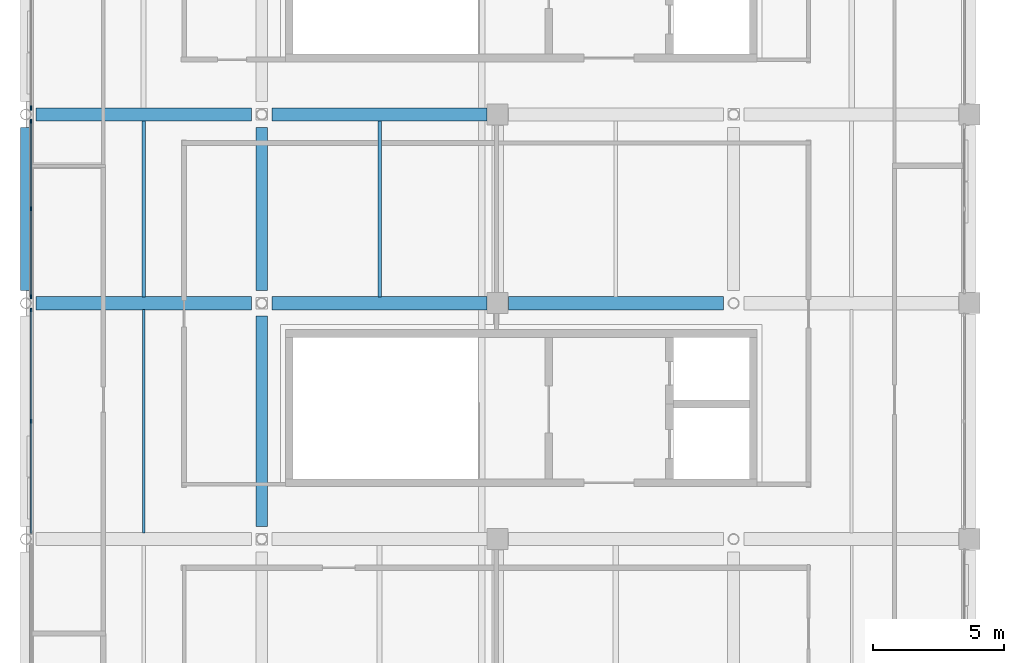
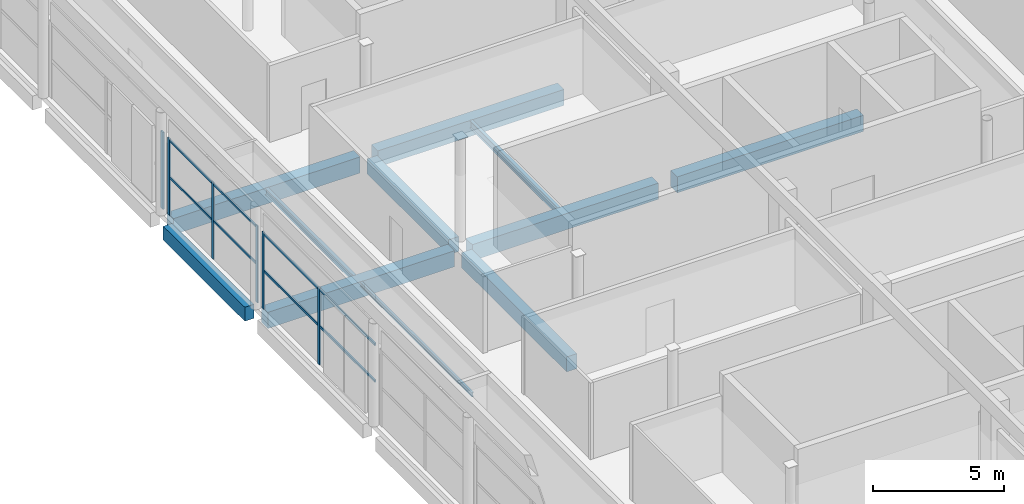
# One storey, part 26 of 114: 11 beams, 10 members, 3 elements without a shape of their own.
"""IFC4 building model written with IfcOpenShell, lengths in metres."""

from ifc_helpers import new_model, si_unit, direction, frame, origin, origin_2d, place, context, subcontext, project, spatial, rectangle, i_section, extrude, material, material_profile, profile_set, type_object, element, aggregate, save


model = new_model("IFC4")

# Units and contexts
model_context = context("Model", 3, precision=1e-05, world=origin(), true_north=direction((0.0, 1.0)))
body_context = subcontext(model_context, "Body", "Model", "MODEL_VIEW")
ifc_project = project(units=[si_unit("LENGTHUNIT", "METRE"), si_unit("AREAUNIT", "SQUARE_METRE"), si_unit("VOLUMEUNIT", "CUBIC_METRE"), si_unit("PLANEANGLEUNIT", "RADIAN"), si_unit("MASSUNIT", "GRAM", prefix="KILO"), si_unit("THERMODYNAMICTEMPERATUREUNIT", "KELVIN"), si_unit("POWERUNIT", "WATT")], contexts=[model_context])

# Site, building, storey
site_placement = place(None, origin())
site = spatial("IfcSite", under=ifc_project, at=site_placement, CompositionType="ELEMENT")
building_placement = place(site_placement, origin())
building = spatial("IfcBuilding", under=site, at=building_placement, Name="Sindhuravela Promenade Stadium", CompositionType="ELEMENT")
storey_placement = place(building_placement, frame((0.0, 0.0, 24.0)))
storey = spatial("IfcBuildingStorey", under=building, at=storey_placement, Name="L05", CompositionType="ELEMENT", Elevation=24.0)

# Curtain wall, member
ifc_material_1 = material(Name="Anodised architectural aluminium 6063-T6", Category="aluminium")
curtain_wall_type_1 = type_object("IfcCurtainWallType", Name="CW-MOD-1", PredefinedType="NOTDEFINED", material=ifc_material_1)
curtain_wall_1_placement = place(storey_placement, origin())
curtain_wall_1 = element("IfcCurtainWall", 1, at=curtain_wall_1_placement, inside=storey, type_object=curtain_wall_type_1, Name="Bronze curtain wall CW-WEST-L05-072", PredefinedType="NOTDEFINED")
ifc_material_profile_1 = material_profile(ifc_material_1, rectangle(XDim=0.074951171875, YDim=0.175048828125, at=origin_2d()), Name="ALU MULL 75x175")
ifc_profile_set_1 = profile_set([ifc_material_profile_1], Name="Anodised architectural aluminium 6063-T6")
member_type_1 = type_object("IfcMemberType", Name="CW-MUL-1", PredefinedType="MULLION", material=ifc_profile_set_1)
member_1_placement = place(storey_placement, frame((0.199951171875, 101.05322265625, 0.0), z_axis=(0.0, 0.0, 1.0), x_axis=(1.0, 0.0, 0.0)))
member_1 = element("IfcMember", 2, at=member_1_placement, type_object=member_type_1, Name="Curtain wall mullion CW-WEST-L05-072-M1", PredefinedType="MULLION", context=body_context, shape_type="SweptSolid", body=[
    extrude(rectangle(XDim=0.074951171875, YDim=0.175048828125, at=origin_2d()), origin(), (0.0, 0.0, 1.0), 3.580078125),
])
aggregate(curtain_wall_1, [member_1])

# Curtain wall, members
curtain_wall_type_2 = type_object("IfcCurtainWallType", Name="CW-MOD-7", PredefinedType="NOTDEFINED", material=ifc_material_1)
curtain_wall_2_placement = place(storey_placement, origin())
curtain_wall_2 = element("IfcCurtainWall", 3, at=curtain_wall_2_placement, inside=storey, type_object=curtain_wall_type_2, Name="Bronze curtain wall CW-WEST-L05-070", PredefinedType="NOTDEFINED")
ifc_material_profile_2 = material_profile(ifc_material_1, rectangle(XDim=0.06005859375, YDim=0.139892578125, at=origin_2d()), Name="ALU M60x140")
ifc_profile_set_2 = profile_set([ifc_material_profile_2], Name="Anodised architectural aluminium 6063-T6")
member_type_2 = type_object("IfcMemberType", Name="CW-MUL-5", PredefinedType="MULLION", material=ifc_profile_set_2)
member_2_placement = place(storey_placement, frame((0.199951171875, 89.10009765625, 0.0), z_axis=(0.0, 0.0, 1.0), x_axis=(1.0, 0.0, 0.0)))
member_2 = element("IfcMember", 4, at=member_2_placement, type_object=member_type_2, Name="Curtain wall mullion CW-WEST-L05-070-M2", PredefinedType="MULLION", context=body_context, shape_type="SweptSolid", body=[
    extrude(rectangle(XDim=0.06005859375, YDim=0.139892578125, at=origin_2d()), origin(), (0.0, 0.0, 1.0), 3.580078125),
])
member_3_placement = place(storey_placement, frame((0.199951171875, 93.3466796875, 0.0), z_axis=(0.0, 0.0, 1.0), x_axis=(1.0, 0.0, 0.0)))
member_3 = element("IfcMember", 5, at=member_3_placement, type_object=member_type_2, Name="Curtain wall mullion CW-WEST-L05-070-M3", PredefinedType="MULLION", context=body_context, shape_type="SweptSolid", body=[
    extrude(rectangle(XDim=0.06005859375, YDim=0.139892578125, at=origin_2d()), origin(), (0.0, 0.0, 1.0), 3.580078125),
])

curtain_wall_type_3 = type_object("IfcCurtainWallType", Name="CW-MOD-8", PredefinedType="NOTDEFINED", material=ifc_material_1)
curtain_wall_3_placement = place(storey_placement, origin())
curtain_wall_3 = element("IfcCurtainWall", 6, at=curtain_wall_3_placement, inside=storey, type_object=curtain_wall_type_3, Name="Bronze curtain wall CW-WEST-L05-071", PredefinedType="NOTDEFINED")
ifc_material_profile_3 = material_profile(ifc_material_1, rectangle(XDim=0.054931640625, YDim=0.14990234375, at=origin_2d()), Name="ALU M55x150")
ifc_profile_set_3 = profile_set([ifc_material_profile_3], Name="Anodised architectural aluminium 6063-T6")
member_type_3 = type_object("IfcMemberType", Name="CW-MUL-6", PredefinedType="MULLION", material=ifc_profile_set_3)
member_4_placement = place(storey_placement, frame((0.199951171875, 93.853271484375, 0.0), z_axis=(0.0, 0.0, 1.0), x_axis=(1.0, 0.0, 0.0)))
member_4 = element("IfcMember", 7, at=member_4_placement, type_object=member_type_3, Name="Curtain wall mullion CW-WEST-L05-071-M1", PredefinedType="MULLION", context=body_context, shape_type="SweptSolid", body=[
    extrude(rectangle(XDim=0.054931640625, YDim=0.14990234375, at=origin_2d()), origin(), (0.0, 0.0, 1.0), 3.580078125),
])
member_5_placement = place(storey_placement, frame((0.199951171875, 97.199951171875, 0.0), z_axis=(0.0, 0.0, 1.0), x_axis=(1.0, 0.0, 0.0)))
member_5 = element("IfcMember", 8, at=member_5_placement, type_object=member_type_3, Name="Curtain wall mullion CW-WEST-L05-071-M2", PredefinedType="MULLION", context=body_context, shape_type="SweptSolid", body=[
    extrude(rectangle(XDim=0.054931640625, YDim=0.14990234375, at=origin_2d()), origin(), (0.0, 0.0, 1.0), 3.580078125),
])
member_6_placement = place(storey_placement, frame((0.199951171875, 100.546875, 0.0), z_axis=(0.0, 0.0, 1.0), x_axis=(1.0, 0.0, 0.0)))
member_6 = element("IfcMember", 9, at=member_6_placement, type_object=member_type_3, Name="Curtain wall mullion CW-WEST-L05-071-M3", PredefinedType="MULLION", context=body_context, shape_type="SweptSolid", body=[
    extrude(rectangle(XDim=0.054931640625, YDim=0.14990234375, at=origin_2d()), origin(), (0.0, 0.0, 1.0), 3.580078125),
])

# Member
ifc_material_profile_4 = material_profile(ifc_material_1, rectangle(XDim=0.06005859375, YDim=0.110107421875, at=origin_2d()), Name="ALU T60x110")
ifc_profile_set_4 = profile_set([ifc_material_profile_4], Name="Anodised architectural aluminium 6063-T6")
member_type_4 = type_object("IfcMemberType", Name="CW-TRN-5", PredefinedType="USERDEFINED", material=ifc_profile_set_4)
member_7_placement = place(storey_placement, frame((0.199951171875, 84.828125, 1.7900390625), z_axis=(0.0, 1.0, 0.0), x_axis=(-1.0, 0.0, 0.0)))
member_7 = element("IfcMember", 10, at=member_7_placement, type_object=member_type_4, Name="Curtain wall transom CW-WEST-L05-070-T1", ObjectType="TRANSOM", PredefinedType="USERDEFINED", context=body_context, shape_type="SweptSolid", body=[
    extrude(rectangle(XDim=0.06005859375, YDim=0.110107421875, at=origin_2d()), origin(), (0.0, 0.0, 1.0), 8.543701171875),
])

member_8_placement = place(storey_placement, frame((0.199951171875, 84.828125, 3.5), z_axis=(0.0, 1.0, 0.0), x_axis=(-1.0, 0.0, 0.0)))
member_8 = element("IfcMember", 11, at=member_8_placement, type_object=member_type_4, Name="Curtain wall transom CW-WEST-L05-070-T2", ObjectType="TRANSOM", PredefinedType="USERDEFINED", context=body_context, shape_type="SweptSolid", body=[
    extrude(rectangle(XDim=0.06005859375, YDim=0.110107421875, at=origin_2d()), origin(), (0.0, 0.0, 1.0), 8.543701171875),
])

aggregate(curtain_wall_2, [member_2, member_3, member_7, member_8])

ifc_material_profile_5 = material_profile(ifc_material_1, rectangle(XDim=0.054931640625, YDim=0.10498046875, at=origin_2d()), Name="ALU T55x105")
ifc_profile_set_5 = profile_set([ifc_material_profile_5], Name="Anodised architectural aluminium 6063-T6")
member_type_5 = type_object("IfcMemberType", Name="CW-TRN-6", PredefinedType="USERDEFINED", material=ifc_profile_set_5)
member_9_placement = place(storey_placement, frame((0.199951171875, 93.828125, 1.7900390625), z_axis=(0.0, 1.0, 0.0), x_axis=(-1.0, 0.0, 0.0)))
member_9 = element("IfcMember", 12, at=member_9_placement, type_object=member_type_5, Name="Curtain wall transom CW-WEST-L05-071-T1", ObjectType="TRANSOM", PredefinedType="USERDEFINED", context=body_context, shape_type="SweptSolid", body=[
    extrude(rectangle(XDim=0.054931640625, YDim=0.10498046875, at=origin_2d()), origin(), (0.0, 0.0, 1.0), 6.74365234375),
])

member_10_placement = place(storey_placement, frame((0.199951171875, 93.828125, 3.5), z_axis=(0.0, 1.0, 0.0), x_axis=(-1.0, 0.0, 0.0)))
member_10 = element("IfcMember", 13, at=member_10_placement, type_object=member_type_5, Name="Curtain wall transom CW-WEST-L05-071-T2", ObjectType="TRANSOM", PredefinedType="USERDEFINED", context=body_context, shape_type="SweptSolid", body=[
    extrude(rectangle(XDim=0.054931640625, YDim=0.10498046875, at=origin_2d()), origin(), (0.0, 0.0, 1.0), 6.74365234375),
])

aggregate(curtain_wall_3, [member_4, member_5, member_6, member_9, member_10])

# Beams
ifc_material_2 = material(Name="Concrete M40", Category="concrete")
ifc_material_profile_6 = material_profile(ifc_material_2, rectangle(XDim=0.39990234375, YDim=0.64990234375, at=origin_2d()), Name="RC 400x650")
ifc_profile_set_6 = profile_set([ifc_material_profile_6], Name="Concrete M40")
beam_type_1 = type_object("IfcBeamType", Name="RC-BM-400x650", PredefinedType="SPANDREL", material=ifc_profile_set_6)
beam_1_placement = place(storey_placement, frame((0.0, 94.090087890625, -0.574951171875), z_axis=(0.0, 1.0, 0.0), x_axis=(-1.0, 0.0, 0.0)))
element("IfcBeam", 14, at=beam_1_placement, inside=storey, type_object=beam_type_1, Name="Primary beam SP01 WEST L05", PredefinedType="SPANDREL", context=body_context, shape_type="SweptSolid", body=[
    extrude(rectangle(XDim=0.39990234375, YDim=0.64990234375, at=origin_2d()), origin(), (0.0, 0.0, 1.0), 6.219970703125),
])
ifc_material_profile_7 = material_profile(ifc_material_2, rectangle(XDim=0.449951171875, YDim=0.699951171875, at=origin_2d()), Name="RC 450x700")
ifc_profile_set_7 = profile_set([ifc_material_profile_7], Name="Concrete M40")
beam_type_2 = type_object("IfcBeamType", Name="RC-BM-450x700", PredefinedType="BEAM", material=ifc_profile_set_7)
beam_2_placement = place(storey_placement, frame((9.0, 85.090087890625, -0.60009765625), z_axis=(0.0, 1.0, 0.0), x_axis=(-1.0, 0.0, 0.0)))
element("IfcBeam", 15, at=beam_2_placement, inside=storey, type_object=beam_type_2, Name="Primary beam GB07 WEST L05", PredefinedType="BEAM", context=body_context, shape_type="SweptSolid", body=[
    extrude(rectangle(XDim=0.449951171875, YDim=0.699951171875, at=origin_2d()), origin(), (0.0, 0.0, 1.0), 8.02001953125),
])
beam_3_placement = place(storey_placement, frame((9.0, 94.090087890625, -0.60009765625), z_axis=(0.0, 1.0, 0.0), x_axis=(-1.0, 0.0, 0.0)))
element("IfcBeam", 16, at=beam_3_placement, inside=storey, type_object=beam_type_2, Name="Primary beam GB07 WEST L05", PredefinedType="BEAM", context=body_context, shape_type="SweptSolid", body=[
    extrude(rectangle(XDim=0.449951171875, YDim=0.699951171875, at=origin_2d()), origin(), (0.0, 0.0, 1.0), 6.219970703125),
])
ifc_material_profile_8 = material_profile(ifc_material_2, rectangle(XDim=0.5, YDim=0.75, at=origin_2d()), Name="RC 500x750")
ifc_profile_set_8 = profile_set([ifc_material_profile_8], Name="Concrete M40")
beam_type_3 = type_object("IfcBeamType", Name="RC-BM-500x750", PredefinedType="BEAM", material=ifc_profile_set_8)
beam_4_placement = place(storey_placement, frame((0.389892578125, 93.60009765625, -0.625), z_axis=(1.0, 0.0, 0.0), x_axis=(0.0, 1.0, 0.0)))
element("IfcBeam", 17, at=beam_4_placement, inside=storey, type_object=beam_type_3, Name="Primary girder GB06 WEST L05", PredefinedType="BEAM", context=body_context, shape_type="SweptSolid", body=[
    extrude(rectangle(XDim=0.5, YDim=0.75, at=origin_2d()), origin(), (0.0, 0.0, 1.0), 8.22021484375),
])
for number, where, z_axis, x_axis, name in (
    (18, (9.389892578125, 93.60009765625, -0.625), (1.0, 0.0, 0.0), (0.0, 1.0, 0.0), "Primary girder GB06 WEST L05"),
    (19, (18.4150390625, 93.60009765625, -0.625), (1.0, 0.0, 0.0), (0.0, 1.0, 0.0), "Primary girder GB06 WEST L05"),
):
    element("IfcBeam", number, at=place(storey_placement, frame(where, z_axis=z_axis, x_axis=x_axis)), inside=storey, type_object=beam_type_3, Name=name, PredefinedType="BEAM", context=body_context, shape_type="SweptSolid", body=[
        extrude(rectangle(XDim=0.5, YDim=0.75, at=origin_2d()), origin(), (0.0, 0.0, 1.0), 8.195068359375),
    ])
beam_5_placement = place(storey_placement, frame((0.389892578125, 100.800048828125, -0.625), z_axis=(1.0, 0.0, 0.0), x_axis=(0.0, 1.0, 0.0)))
element("IfcBeam", 20, at=beam_5_placement, inside=storey, type_object=beam_type_3, Name="Primary girder GB06 WEST L05", PredefinedType="BEAM", context=body_context, shape_type="SweptSolid", body=[
    extrude(rectangle(XDim=0.5, YDim=0.75, at=origin_2d()), origin(), (0.0, 0.0, 1.0), 8.22021484375),
])
beam_6_placement = place(storey_placement, frame((9.389892578125, 100.800048828125, -0.625), z_axis=(1.0, 0.0, 0.0), x_axis=(0.0, 1.0, 0.0)))
element("IfcBeam", 21, at=beam_6_placement, inside=storey, type_object=beam_type_3, Name="Primary girder GB06 WEST L05", PredefinedType="BEAM", context=body_context, shape_type="SweptSolid", body=[
    extrude(rectangle(XDim=0.5, YDim=0.75, at=origin_2d()), origin(), (0.0, 0.0, 1.0), 8.195068359375),
])
ifc_material_3 = material(Name="Steel E350 (IS 2062 E350BR)", Category="steel")
ifc_material_profile_9 = material_profile(ifc_material_3, i_section(OverallWidth=0.10009765625, OverallDepth=0.199951171875, WebThickness=0.005615234375, FlangeThickness=0.0107421875, FilletRadius=0.010986328125, at=origin_2d()), Name="ISMB 200")
ifc_profile_set_9 = profile_set([ifc_material_profile_9], Name="Steel E350 (IS 2062 E350BR)")
beam_type_4 = type_object("IfcBeamType", Name="ST-BM-MB200", PredefinedType="JOIST", material=ifc_profile_set_9)
beam_7_placement = place(storey_placement, frame((4.5, 84.840087890625, -0.35009765625), z_axis=(0.0, 1.0, 0.0), x_axis=(-1.0, 0.0, 0.0)))
element("IfcBeam", 22, at=beam_7_placement, inside=storey, type_object=beam_type_4, Name="Secondary floor joist SB01 WEST L05", PredefinedType="JOIST", context=body_context, shape_type="SweptSolid", body=[
    extrude(i_section(OverallWidth=0.10009765625, OverallDepth=0.199951171875, WebThickness=0.005615234375, FlangeThickness=0.0107421875, FilletRadius=0.010986328125, at=origin_2d()), origin(), (0.0, 0.0, 1.0), 8.52001953125),
])
ifc_material_profile_10 = material_profile(ifc_material_3, i_section(OverallWidth=0.139892578125, OverallDepth=0.300048828125, WebThickness=0.0078125, FlangeThickness=0.01318359375, FilletRadius=0.013916015625, at=origin_2d()), Name="ISMB 300")
ifc_profile_set_10 = profile_set([ifc_material_profile_10], Name="Steel E350 (IS 2062 E350BR)")
beam_type_5 = type_object("IfcBeamType", Name="ST-BM-MB300", PredefinedType="JOIST", material=ifc_profile_set_10)
beam_8_placement = place(storey_placement, frame((4.5, 93.840087890625, -0.39990234375), z_axis=(0.0, 1.0, 0.0), x_axis=(-1.0, 0.0, 0.0)))
element("IfcBeam", 23, at=beam_8_placement, inside=storey, type_object=beam_type_5, Name="Secondary floor joist SB03 WEST L05", PredefinedType="JOIST", context=body_context, shape_type="SweptSolid", body=[
    extrude(i_section(OverallWidth=0.139892578125, OverallDepth=0.300048828125, WebThickness=0.0078125, FlangeThickness=0.01318359375, FilletRadius=0.013916015625, at=origin_2d()), origin(), (0.0, 0.0, 1.0), 6.719970703125),
])
ifc_material_profile_11 = material_profile(ifc_material_3, i_section(OverallWidth=0.139892578125, OverallDepth=0.35009765625, WebThickness=0.008056640625, FlangeThickness=0.01416015625, FilletRadius=0.013916015625, at=origin_2d()), Name="ISMB 350")
ifc_profile_set_11 = profile_set([ifc_material_profile_11], Name="Steel E350 (IS 2062 E350BR)")
beam_type_6 = type_object("IfcBeamType", Name="ST-BM-MB350", PredefinedType="JOIST", material=ifc_profile_set_11)
beam_9_placement = place(storey_placement, frame((13.5, 93.840087890625, -0.425048828125), z_axis=(0.0, 1.0, 0.0), x_axis=(-1.0, 0.0, 0.0)))
element("IfcBeam", 24, at=beam_9_placement, inside=storey, type_object=beam_type_6, Name="Secondary floor joist SB04 WEST L05", PredefinedType="JOIST", context=body_context, shape_type="SweptSolid", body=[
    extrude(i_section(OverallWidth=0.139892578125, OverallDepth=0.35009765625, WebThickness=0.008056640625, FlangeThickness=0.01416015625, FilletRadius=0.013916015625, at=origin_2d()), origin(), (0.0, 0.0, 1.0), 6.719970703125),
])

save(model, "model.ifc")
